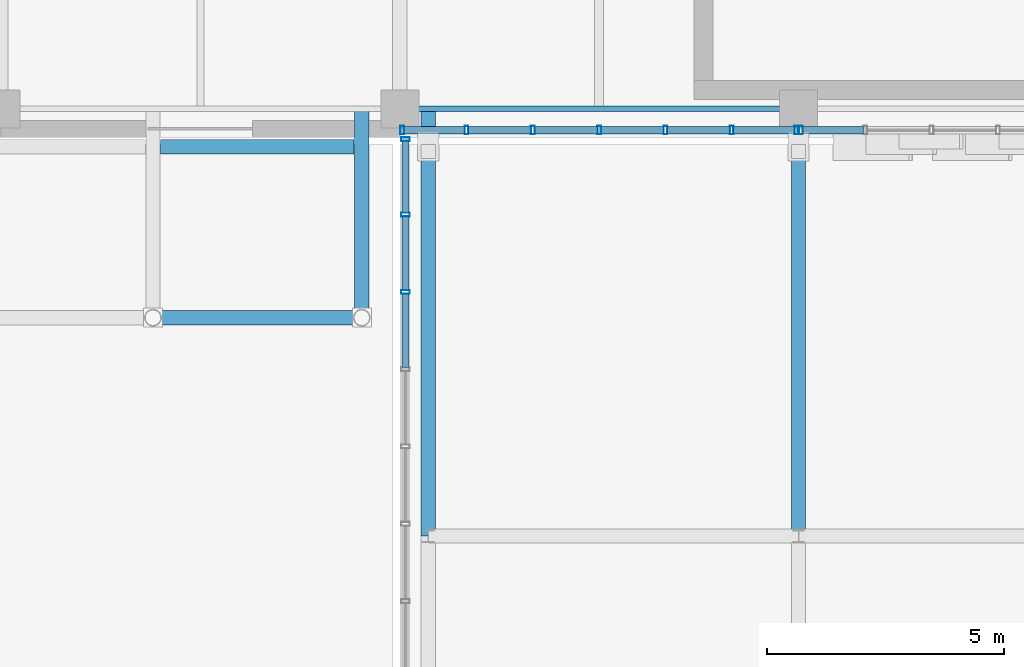
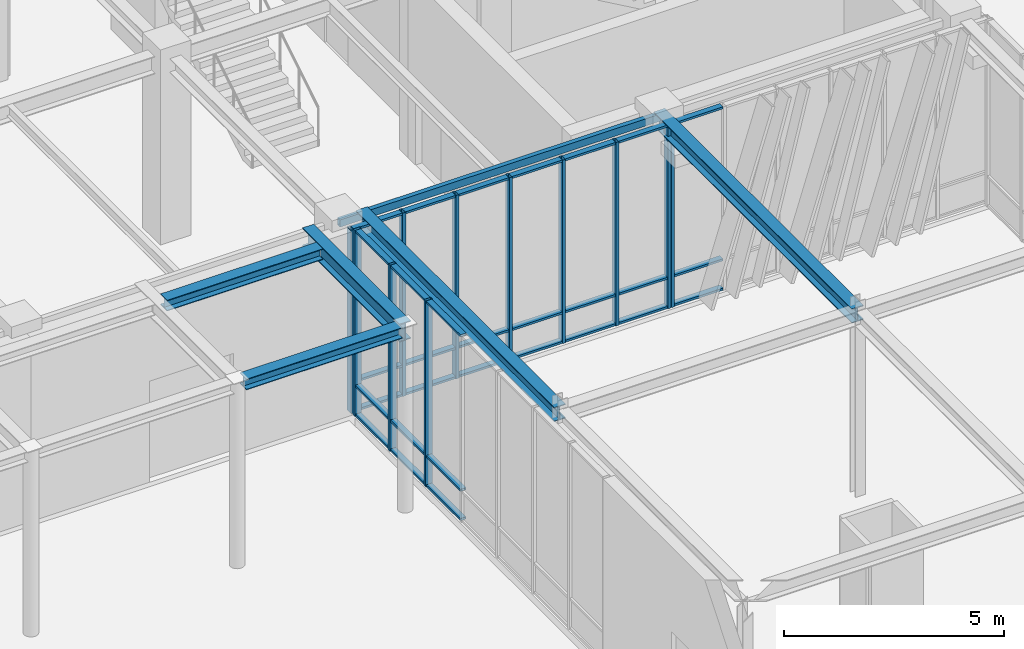
# One storey, part 23 of 122: 41 members, 6 beams, 3 elements without a shape of their own.
"""IFC4 building model written with IfcOpenShell, lengths in metres."""

from ifc_helpers import new_model, si_unit, direction, frame, origin, origin_2d, place, context, subcontext, project, spatial, hollow_rectangle, i_section, extrude, material, layer, layer_set, material_profile, profile_set, type_object, element, aggregate, save


model = new_model("IFC4")

# Units and contexts
model_context = context("Model", 3, precision=1e-05, world=origin(), true_north=direction((0.0, 1.0)))
body_context = subcontext(model_context, "Body", "Model", "MODEL_VIEW")
ifc_project = project(units=[si_unit("LENGTHUNIT", "METRE"), si_unit("AREAUNIT", "SQUARE_METRE"), si_unit("VOLUMEUNIT", "CUBIC_METRE"), si_unit("PLANEANGLEUNIT", "RADIAN"), si_unit("MASSUNIT", "GRAM", prefix="KILO")], contexts=[model_context])

# Site, building, storey
site_placement = place(None, origin())
site = spatial("IfcSite", under=ifc_project, at=site_placement, CompositionType="ELEMENT")
building_placement = place(site_placement, origin())
building = spatial("IfcBuilding", under=site, at=building_placement, Name="Zayran Congress Hotel", CompositionType="ELEMENT")
storey_placement = place(building_placement, origin())
storey = spatial("IfcBuildingStorey", under=building, at=storey_placement, Name="L00", CompositionType="ELEMENT", Elevation=0.0)

# Beams
ifc_material_1 = material(Name="Steel S355", Category="steel")
ifc_material_profile_1 = material_profile(ifc_material_1, i_section(OverallWidth=0.300048828125, OverallDepth=0.5, WebThickness=0.014404296875, FlangeThickness=0.028076171875, at=origin_2d()), Name="HEB 500")
ifc_profile_set_1 = profile_set([ifc_material_profile_1], Name="Steel S355")
beam_type_1 = type_object("IfcBeamType", Name="TP-BM-08", PredefinedType="BEAM", material=ifc_profile_set_1)
beam_1_placement = place(storey_placement, frame((74.800048828125, 63.800048828125, 4.909912109375), z_axis=(0.0, 1.0, 0.0), x_axis=(-1.0, 0.0, 0.0)))
element("IfcBeam", 1, at=beam_1_placement, inside=storey, type_object=beam_type_1, Name="BM-CAN-RIB-4", PredefinedType="BEAM", context=body_context, shape_type="SweptSolid", body=[
    extrude(i_section(OverallWidth=0.300048828125, OverallDepth=0.5, WebThickness=0.014404296875, FlangeThickness=0.028076171875, at=origin_2d()), origin(), (0.0, 0.0, 1.0), 4.39990234375),
])
ifc_material_profile_2 = material_profile(ifc_material_1, i_section(OverallWidth=0.300048828125, OverallDepth=0.39990234375, WebThickness=0.013427734375, FlangeThickness=0.02392578125, at=origin_2d()), Name="HEB 400")
ifc_profile_set_2 = profile_set([ifc_material_profile_2], Name="Steel S355")
beam_type_2 = type_object("IfcBeamType", Name="TP-BM-10", PredefinedType="BEAM", material=ifc_profile_set_2)
for number, where, z_axis, x_axis, name in (
    (2, (76.199951171875, 59.199951171875, 4.949951171875), (0.0, 1.0, 0.0), (-1.0, 0.0, 0.0), "BM-BR2Y-L00-2449"),
    (3, (84.0, 59.199951171875, 4.949951171875), (0.0, 1.0, 0.0), (-1.0, 0.0, 0.0), "BM-BR2Y-L00-2453"),
):
    element("IfcBeam", number, at=place(storey_placement, frame(where, z_axis=z_axis, x_axis=x_axis)), inside=storey, type_object=beam_type_2, Name=name, PredefinedType="BEAM", context=body_context, shape_type="SweptSolid", body=[
        extrude(i_section(OverallWidth=0.300048828125, OverallDepth=0.39990234375, WebThickness=0.013427734375, FlangeThickness=0.02392578125, at=origin_2d()), origin(), (0.0, 0.0, 1.0), 9.0),
    ])
ifc_material_profile_3 = material_profile(ifc_material_1, i_section(OverallWidth=0.300048828125, OverallDepth=0.300048828125, WebThickness=0.010986328125, FlangeThickness=0.01904296875, at=origin_2d()), Name="HEB 300")
ifc_profile_set_3 = profile_set([ifc_material_profile_3], Name="Steel S355")
beam_type_3 = type_object("IfcBeamType", Name="TP-BM-11", PredefinedType="BEAM", material=ifc_profile_set_3)
for number, where, z_axis, x_axis, name in (
    (4, (70.56005859375, 63.800048828125, 5.010009765625), (1.0, 0.0, 0.0), (0.0, 1.0, 0.0), "BM-CAN-TIE-2482"),
    (5, (70.56005859375, 67.39990234375, 5.010009765625), (1.0, 0.0, 0.0), (0.0, 1.0, 0.0), "BM-CAN-TIE-2485"),
):
    element("IfcBeam", number, at=place(storey_placement, frame(where, z_axis=z_axis, x_axis=x_axis)), inside=storey, type_object=beam_type_3, Name=name, PredefinedType="BEAM", context=body_context, shape_type="SweptSolid", body=[
        extrude(i_section(OverallWidth=0.300048828125, OverallDepth=0.300048828125, WebThickness=0.010986328125, FlangeThickness=0.01904296875, at=origin_2d()), origin(), (0.0, 0.0, 1.0), 4.079833984375),
    ])
ifc_material_profile_4 = material_profile(ifc_material_1, hollow_rectangle(XDim=0.1201171875, YDim=0.199951171875, WallThickness=0.008056640625, at=origin_2d()), Name="RHS 200x120x8")
ifc_profile_set_4 = profile_set([ifc_material_profile_4], Name="Steel S355")
beam_type_4 = type_object("IfcBeamType", Name="TP-SP-02", PredefinedType="SPANDREL", material=ifc_profile_set_4)
beam_2_placement = place(storey_placement, frame((75.60009765625, 68.199951171875, 4.97998046875), z_axis=(1.0, 0.0, 0.0), x_axis=(0.0, 1.0, 0.0)))
element("IfcBeam", 6, at=beam_2_placement, inside=storey, type_object=beam_type_4, Name="BM-V1-L00-0397", PredefinedType="SPANDREL", context=body_context, shape_type="SweptSolid", body=[
    extrude(hollow_rectangle(XDim=0.1201171875, YDim=0.199951171875, WallThickness=0.008056640625, at=origin_2d()), origin(), (0.0, 0.0, 1.0), 8.39990234375),
])

# Curtain wall, members
ifc_material_2 = material(Name="Anodised aluminium and low-E insulated glass", Category="aluminium")
ifc_layer_1 = layer(ifc_material_2, 0.179931640625)
ifc_layer_set_1 = layer_set([ifc_layer_1], Name="Anodised aluminium and low-E insulated glass")
curtain_wall_type_1 = type_object("IfcCurtainWallType", Name="CW-V1S-L00-CW-13-8380-5080", PredefinedType="USERDEFINED", material=ifc_layer_set_1)
curtain_wall_1_placement = place(storey_placement, origin())
curtain_wall_1 = element("IfcCurtainWall", 7, at=curtain_wall_1_placement, inside=storey, type_object=curtain_wall_type_1, Name="CW-V1S-L00-8", ObjectType="CURTAIN WALL", PredefinedType="USERDEFINED")
ifc_material_3 = material(Name="Anodised aluminium framing", Category="aluminium")
ifc_material_profile_5 = material_profile(ifc_material_3, hollow_rectangle(XDim=0.080078125, YDim=0.179931640625, WallThickness=0.0048828125, at=origin_2d()), Name="RHS 180x80x5")
ifc_profile_set_5 = profile_set([ifc_material_profile_5], Name="Anodised aluminium framing")
member_type_1 = type_object("IfcMemberType", Name="TP-CWM-01", PredefinedType="MULLION", material=ifc_profile_set_5)
member_1_placement = place(storey_placement, frame((75.64990234375, 67.75, 0.0), z_axis=(0.0, 0.0, 1.0), x_axis=(1.0, 0.0, 0.0)))
member_1 = element("IfcMember", 8, at=member_1_placement, type_object=member_type_1, Name="CW-V1S-L00-8-M00", PredefinedType="MULLION", context=body_context, shape_type="SweptSolid", body=[
    extrude(hollow_rectangle(XDim=0.080078125, YDim=0.179931640625, WallThickness=0.0048828125, at=origin_2d()), origin(), (0.0, 0.0, 1.0), 5.080078125),
])
member_2_placement = place(storey_placement, frame((77.006591796875, 67.75, 0.0), z_axis=(0.0, 0.0, 1.0), x_axis=(1.0, 0.0, 0.0)))
member_2 = element("IfcMember", 9, at=member_2_placement, type_object=member_type_1, Name="CW-V1S-L00-8-M01", PredefinedType="MULLION", context=body_context, shape_type="SweptSolid", body=[
    extrude(hollow_rectangle(XDim=0.080078125, YDim=0.179931640625, WallThickness=0.0048828125, at=origin_2d()), origin(), (0.0, 0.0, 1.0), 5.080078125),
])
member_3_placement = place(storey_placement, frame((78.4033203125, 67.75, 0.0), z_axis=(0.0, 0.0, 1.0), x_axis=(1.0, 0.0, 0.0)))
member_3 = element("IfcMember", 10, at=member_3_placement, type_object=member_type_1, Name="CW-V1S-L00-8-M02", PredefinedType="MULLION", context=body_context, shape_type="SweptSolid", body=[
    extrude(hollow_rectangle(XDim=0.080078125, YDim=0.179931640625, WallThickness=0.0048828125, at=origin_2d()), origin(), (0.0, 0.0, 1.0), 5.080078125),
])
member_4_placement = place(storey_placement, frame((79.800048828125, 67.75, 0.0), z_axis=(0.0, 0.0, 1.0), x_axis=(1.0, 0.0, 0.0)))
member_4 = element("IfcMember", 11, at=member_4_placement, type_object=member_type_1, Name="CW-V1S-L00-8-M03", PredefinedType="MULLION", context=body_context, shape_type="SweptSolid", body=[
    extrude(hollow_rectangle(XDim=0.080078125, YDim=0.179931640625, WallThickness=0.0048828125, at=origin_2d()), origin(), (0.0, 0.0, 1.0), 5.080078125),
])
member_5_placement = place(storey_placement, frame((81.19677734375, 67.75, 0.0), z_axis=(0.0, 0.0, 1.0), x_axis=(1.0, 0.0, 0.0)))
member_5 = element("IfcMember", 12, at=member_5_placement, type_object=member_type_1, Name="CW-V1S-L00-8-M04", PredefinedType="MULLION", context=body_context, shape_type="SweptSolid", body=[
    extrude(hollow_rectangle(XDim=0.080078125, YDim=0.179931640625, WallThickness=0.0048828125, at=origin_2d()), origin(), (0.0, 0.0, 1.0), 5.080078125),
])
member_6_placement = place(storey_placement, frame((82.59326171875, 67.75, 0.0), z_axis=(0.0, 0.0, 1.0), x_axis=(1.0, 0.0, 0.0)))
member_6 = element("IfcMember", 13, at=member_6_placement, type_object=member_type_1, Name="CW-V1S-L00-8-M05", PredefinedType="MULLION", context=body_context, shape_type="SweptSolid", body=[
    extrude(hollow_rectangle(XDim=0.080078125, YDim=0.179931640625, WallThickness=0.0048828125, at=origin_2d()), origin(), (0.0, 0.0, 1.0), 5.080078125),
])
member_7_placement = place(storey_placement, frame((83.949951171875, 67.75, 0.0), z_axis=(0.0, 0.0, 1.0), x_axis=(1.0, 0.0, 0.0)))
member_7 = element("IfcMember", 14, at=member_7_placement, type_object=member_type_1, Name="CW-V1S-L00-8-M06", PredefinedType="MULLION", context=body_context, shape_type="SweptSolid", body=[
    extrude(hollow_rectangle(XDim=0.080078125, YDim=0.179931640625, WallThickness=0.0048828125, at=origin_2d()), origin(), (0.0, 0.0, 1.0), 5.080078125),
])

# Curtain wall, member
ifc_layer_2 = layer(ifc_material_2, 0.179931640625)
ifc_layer_set_2 = layer_set([ifc_layer_2], Name="Anodised aluminium and low-E insulated glass")
curtain_wall_type_2 = type_object("IfcCurtainWallType", Name="CW-V1S-L00-CW-11-8380-5080", PredefinedType="USERDEFINED", material=ifc_layer_set_2)
curtain_wall_2_placement = place(storey_placement, origin())
curtain_wall_2 = element("IfcCurtainWall", 15, at=curtain_wall_2_placement, inside=storey, type_object=curtain_wall_type_2, Name="CW-V1S-L00-9", ObjectType="CURTAIN WALL", PredefinedType="USERDEFINED")
member_8_placement = place(storey_placement, frame((84.050048828125, 67.75, 0.0), z_axis=(0.0, 0.0, 1.0), x_axis=(1.0, 0.0, 0.0)))
member_8 = element("IfcMember", 16, at=member_8_placement, type_object=member_type_1, Name="CW-V1S-L00-9-M00", PredefinedType="MULLION", context=body_context, shape_type="SweptSolid", body=[
    extrude(hollow_rectangle(XDim=0.080078125, YDim=0.179931640625, WallThickness=0.0048828125, at=origin_2d()), origin(), (0.0, 0.0, 1.0), 5.080078125),
])

# Curtain wall, members
ifc_layer_3 = layer(ifc_material_2, 0.179931640625)
ifc_layer_set_3 = layer_set([ifc_layer_3], Name="Anodised aluminium and low-E insulated glass")
curtain_wall_type_3 = type_object("IfcCurtainWallType", Name="CW-BR2-L00-CW-BR2-11400-5150", PredefinedType="USERDEFINED", material=ifc_layer_set_3)
curtain_wall_3_placement = place(storey_placement, origin())
curtain_wall_3 = element("IfcCurtainWall", 17, at=curtain_wall_3_placement, inside=storey, type_object=curtain_wall_type_3, Name="CW-BR2W-L00-2", ObjectType="CURTAIN WALL", PredefinedType="USERDEFINED")
member_9_placement = place(storey_placement, frame((75.719970703125, 67.56005859375, 0.0), z_axis=(0.0, 0.0, 1.0), x_axis=(0.0, 1.0, 0.0)))
member_9 = element("IfcMember", 18, at=member_9_placement, type_object=member_type_1, Name="CW-BR2W-L00-2-M00", PredefinedType="MULLION", context=body_context, shape_type="SweptSolid", body=[
    extrude(hollow_rectangle(XDim=0.080078125, YDim=0.179931640625, WallThickness=0.0048828125, at=origin_2d()), origin(), (0.0, 0.0, 1.0), 5.14990234375),
])
member_10_placement = place(storey_placement, frame((75.719970703125, 65.971435546875, 0.0), z_axis=(0.0, 0.0, 1.0), x_axis=(0.0, 1.0, 0.0)))
member_10 = element("IfcMember", 19, at=member_10_placement, type_object=member_type_1, Name="CW-BR2W-L00-2-M01", PredefinedType="MULLION", context=body_context, shape_type="SweptSolid", body=[
    extrude(hollow_rectangle(XDim=0.080078125, YDim=0.179931640625, WallThickness=0.0048828125, at=origin_2d()), origin(), (0.0, 0.0, 1.0), 5.14990234375),
])
member_11_placement = place(storey_placement, frame((75.719970703125, 64.343017578125, 0.0), z_axis=(0.0, 0.0, 1.0), x_axis=(0.0, 1.0, 0.0)))
member_11 = element("IfcMember", 20, at=member_11_placement, type_object=member_type_1, Name="CW-BR2W-L00-2-M02", PredefinedType="MULLION", context=body_context, shape_type="SweptSolid", body=[
    extrude(hollow_rectangle(XDim=0.080078125, YDim=0.179931640625, WallThickness=0.0048828125, at=origin_2d()), origin(), (0.0, 0.0, 1.0), 5.14990234375),
])

# Member
ifc_material_profile_6 = material_profile(ifc_material_3, hollow_rectangle(XDim=0.06005859375, YDim=0.14990234375, WallThickness=0.00390625, at=origin_2d()), Name="RHS 150x60x4")
ifc_profile_set_6 = profile_set([ifc_material_profile_6], Name="Anodised aluminium framing")
member_type_2 = type_object("IfcMemberType", Name="TP-CWT-01", PredefinedType="USERDEFINED", material=ifc_profile_set_6)
member_12_placement = place(storey_placement, frame((75.68994140625, 67.75, 0.030029296875), z_axis=(1.0, 0.0, 0.0), x_axis=(0.0, 0.0, 1.0)))
member_12 = element("IfcMember", 21, at=member_12_placement, type_object=member_type_2, Name="CW-V1S-L00-8-T00-0", ObjectType="TRANSOM", PredefinedType="USERDEFINED", context=body_context, shape_type="SweptSolid", body=[
    extrude(hollow_rectangle(XDim=0.06005859375, YDim=0.14990234375, WallThickness=0.00390625, at=origin_2d()), origin(), (0.0, 0.0, 1.0), 1.27685546875),
])

member_13_placement = place(storey_placement, frame((75.68994140625, 67.75, 0.840087890625), z_axis=(1.0, 0.0, 0.0), x_axis=(0.0, 0.0, 1.0)))
member_13 = element("IfcMember", 22, at=member_13_placement, type_object=member_type_2, Name="CW-V1S-L00-8-T00-1", ObjectType="TRANSOM", PredefinedType="USERDEFINED", context=body_context, shape_type="SweptSolid", body=[
    extrude(hollow_rectangle(XDim=0.06005859375, YDim=0.14990234375, WallThickness=0.00390625, at=origin_2d()), origin(), (0.0, 0.0, 1.0), 1.27685546875),
])

member_14_placement = place(storey_placement, frame((75.68994140625, 67.75, 5.050048828125), z_axis=(1.0, 0.0, 0.0), x_axis=(0.0, 0.0, 1.0)))
member_14 = element("IfcMember", 23, at=member_14_placement, type_object=member_type_2, Name="CW-V1S-L00-8-T00-2", ObjectType="TRANSOM", PredefinedType="USERDEFINED", context=body_context, shape_type="SweptSolid", body=[
    extrude(hollow_rectangle(XDim=0.06005859375, YDim=0.14990234375, WallThickness=0.00390625, at=origin_2d()), origin(), (0.0, 0.0, 1.0), 1.27685546875),
])

member_15_placement = place(storey_placement, frame((77.046630859375, 67.75, 0.030029296875), z_axis=(1.0, 0.0, 0.0), x_axis=(0.0, 0.0, 1.0)))
member_15 = element("IfcMember", 24, at=member_15_placement, type_object=member_type_2, Name="CW-V1S-L00-8-T01-0", ObjectType="TRANSOM", PredefinedType="USERDEFINED", context=body_context, shape_type="SweptSolid", body=[
    extrude(hollow_rectangle(XDim=0.06005859375, YDim=0.14990234375, WallThickness=0.00390625, at=origin_2d()), origin(), (0.0, 0.0, 1.0), 1.316650390625),
])

member_16_placement = place(storey_placement, frame((77.046630859375, 67.75, 0.840087890625), z_axis=(1.0, 0.0, 0.0), x_axis=(0.0, 0.0, 1.0)))
member_16 = element("IfcMember", 25, at=member_16_placement, type_object=member_type_2, Name="CW-V1S-L00-8-T01-1", ObjectType="TRANSOM", PredefinedType="USERDEFINED", context=body_context, shape_type="SweptSolid", body=[
    extrude(hollow_rectangle(XDim=0.06005859375, YDim=0.14990234375, WallThickness=0.00390625, at=origin_2d()), origin(), (0.0, 0.0, 1.0), 1.316650390625),
])

member_17_placement = place(storey_placement, frame((77.046630859375, 67.75, 5.050048828125), z_axis=(1.0, 0.0, 0.0), x_axis=(0.0, 0.0, 1.0)))
member_17 = element("IfcMember", 26, at=member_17_placement, type_object=member_type_2, Name="CW-V1S-L00-8-T01-2", ObjectType="TRANSOM", PredefinedType="USERDEFINED", context=body_context, shape_type="SweptSolid", body=[
    extrude(hollow_rectangle(XDim=0.06005859375, YDim=0.14990234375, WallThickness=0.00390625, at=origin_2d()), origin(), (0.0, 0.0, 1.0), 1.316650390625),
])

member_18_placement = place(storey_placement, frame((78.443359375, 67.75, 0.030029296875), z_axis=(1.0, 0.0, 0.0), x_axis=(0.0, 0.0, 1.0)))
member_18 = element("IfcMember", 27, at=member_18_placement, type_object=member_type_2, Name="CW-V1S-L00-8-T02-0", ObjectType="TRANSOM", PredefinedType="USERDEFINED", context=body_context, shape_type="SweptSolid", body=[
    extrude(hollow_rectangle(XDim=0.06005859375, YDim=0.14990234375, WallThickness=0.00390625, at=origin_2d()), origin(), (0.0, 0.0, 1.0), 1.316650390625),
])

member_19_placement = place(storey_placement, frame((78.443359375, 67.75, 0.840087890625), z_axis=(1.0, 0.0, 0.0), x_axis=(0.0, 0.0, 1.0)))
member_19 = element("IfcMember", 28, at=member_19_placement, type_object=member_type_2, Name="CW-V1S-L00-8-T02-1", ObjectType="TRANSOM", PredefinedType="USERDEFINED", context=body_context, shape_type="SweptSolid", body=[
    extrude(hollow_rectangle(XDim=0.06005859375, YDim=0.14990234375, WallThickness=0.00390625, at=origin_2d()), origin(), (0.0, 0.0, 1.0), 1.316650390625),
])

member_20_placement = place(storey_placement, frame((78.443359375, 67.75, 5.050048828125), z_axis=(1.0, 0.0, 0.0), x_axis=(0.0, 0.0, 1.0)))
member_20 = element("IfcMember", 29, at=member_20_placement, type_object=member_type_2, Name="CW-V1S-L00-8-T02-2", ObjectType="TRANSOM", PredefinedType="USERDEFINED", context=body_context, shape_type="SweptSolid", body=[
    extrude(hollow_rectangle(XDim=0.06005859375, YDim=0.14990234375, WallThickness=0.00390625, at=origin_2d()), origin(), (0.0, 0.0, 1.0), 1.316650390625),
])

member_21_placement = place(storey_placement, frame((79.840087890625, 67.75, 0.030029296875), z_axis=(1.0, 0.0, 0.0), x_axis=(0.0, 0.0, 1.0)))
member_21 = element("IfcMember", 30, at=member_21_placement, type_object=member_type_2, Name="CW-V1S-L00-8-T03-0", ObjectType="TRANSOM", PredefinedType="USERDEFINED", context=body_context, shape_type="SweptSolid", body=[
    extrude(hollow_rectangle(XDim=0.06005859375, YDim=0.14990234375, WallThickness=0.00390625, at=origin_2d()), origin(), (0.0, 0.0, 1.0), 1.316650390625),
])

member_22_placement = place(storey_placement, frame((79.840087890625, 67.75, 0.840087890625), z_axis=(1.0, 0.0, 0.0), x_axis=(0.0, 0.0, 1.0)))
member_22 = element("IfcMember", 31, at=member_22_placement, type_object=member_type_2, Name="CW-V1S-L00-8-T03-1", ObjectType="TRANSOM", PredefinedType="USERDEFINED", context=body_context, shape_type="SweptSolid", body=[
    extrude(hollow_rectangle(XDim=0.06005859375, YDim=0.14990234375, WallThickness=0.00390625, at=origin_2d()), origin(), (0.0, 0.0, 1.0), 1.316650390625),
])

member_23_placement = place(storey_placement, frame((79.840087890625, 67.75, 5.050048828125), z_axis=(1.0, 0.0, 0.0), x_axis=(0.0, 0.0, 1.0)))
member_23 = element("IfcMember", 32, at=member_23_placement, type_object=member_type_2, Name="CW-V1S-L00-8-T03-2", ObjectType="TRANSOM", PredefinedType="USERDEFINED", context=body_context, shape_type="SweptSolid", body=[
    extrude(hollow_rectangle(XDim=0.06005859375, YDim=0.14990234375, WallThickness=0.00390625, at=origin_2d()), origin(), (0.0, 0.0, 1.0), 1.316650390625),
])

member_24_placement = place(storey_placement, frame((81.23681640625, 67.75, 0.030029296875), z_axis=(1.0, 0.0, 0.0), x_axis=(0.0, 0.0, 1.0)))
member_24 = element("IfcMember", 33, at=member_24_placement, type_object=member_type_2, Name="CW-V1S-L00-8-T04-0", ObjectType="TRANSOM", PredefinedType="USERDEFINED", context=body_context, shape_type="SweptSolid", body=[
    extrude(hollow_rectangle(XDim=0.06005859375, YDim=0.14990234375, WallThickness=0.00390625, at=origin_2d()), origin(), (0.0, 0.0, 1.0), 1.31640625),
])

member_25_placement = place(storey_placement, frame((81.23681640625, 67.75, 0.840087890625), z_axis=(1.0, 0.0, 0.0), x_axis=(0.0, 0.0, 1.0)))
member_25 = element("IfcMember", 34, at=member_25_placement, type_object=member_type_2, Name="CW-V1S-L00-8-T04-1", ObjectType="TRANSOM", PredefinedType="USERDEFINED", context=body_context, shape_type="SweptSolid", body=[
    extrude(hollow_rectangle(XDim=0.06005859375, YDim=0.14990234375, WallThickness=0.00390625, at=origin_2d()), origin(), (0.0, 0.0, 1.0), 1.31640625),
])

member_26_placement = place(storey_placement, frame((81.23681640625, 67.75, 5.050048828125), z_axis=(1.0, 0.0, 0.0), x_axis=(0.0, 0.0, 1.0)))
member_26 = element("IfcMember", 35, at=member_26_placement, type_object=member_type_2, Name="CW-V1S-L00-8-T04-2", ObjectType="TRANSOM", PredefinedType="USERDEFINED", context=body_context, shape_type="SweptSolid", body=[
    extrude(hollow_rectangle(XDim=0.06005859375, YDim=0.14990234375, WallThickness=0.00390625, at=origin_2d()), origin(), (0.0, 0.0, 1.0), 1.31640625),
])

member_27_placement = place(storey_placement, frame((82.63330078125, 67.75, 0.030029296875), z_axis=(1.0, 0.0, 0.0), x_axis=(0.0, 0.0, 1.0)))
member_27 = element("IfcMember", 36, at=member_27_placement, type_object=member_type_2, Name="CW-V1S-L00-8-T05-0", ObjectType="TRANSOM", PredefinedType="USERDEFINED", context=body_context, shape_type="SweptSolid", body=[
    extrude(hollow_rectangle(XDim=0.06005859375, YDim=0.14990234375, WallThickness=0.00390625, at=origin_2d()), origin(), (0.0, 0.0, 1.0), 1.276611328125),
])

member_28_placement = place(storey_placement, frame((82.63330078125, 67.75, 0.840087890625), z_axis=(1.0, 0.0, 0.0), x_axis=(0.0, 0.0, 1.0)))
member_28 = element("IfcMember", 37, at=member_28_placement, type_object=member_type_2, Name="CW-V1S-L00-8-T05-1", ObjectType="TRANSOM", PredefinedType="USERDEFINED", context=body_context, shape_type="SweptSolid", body=[
    extrude(hollow_rectangle(XDim=0.06005859375, YDim=0.14990234375, WallThickness=0.00390625, at=origin_2d()), origin(), (0.0, 0.0, 1.0), 1.276611328125),
])

member_29_placement = place(storey_placement, frame((82.63330078125, 67.75, 5.050048828125), z_axis=(1.0, 0.0, 0.0), x_axis=(0.0, 0.0, 1.0)))
member_29 = element("IfcMember", 38, at=member_29_placement, type_object=member_type_2, Name="CW-V1S-L00-8-T05-2", ObjectType="TRANSOM", PredefinedType="USERDEFINED", context=body_context, shape_type="SweptSolid", body=[
    extrude(hollow_rectangle(XDim=0.06005859375, YDim=0.14990234375, WallThickness=0.00390625, at=origin_2d()), origin(), (0.0, 0.0, 1.0), 1.276611328125),
])

aggregate(curtain_wall_1, [member_1, member_2, member_3, member_4, member_5, member_6, member_7, member_12, member_13, member_14, member_15, member_16, member_17, member_18, member_19, member_20, member_21, member_22, member_23, member_24, member_25, member_26, member_27, member_28, member_29])

member_30_placement = place(storey_placement, frame((84.090087890625, 67.75, 0.030029296875), z_axis=(1.0, 0.0, 0.0), x_axis=(0.0, 0.0, 1.0)))
member_30 = element("IfcMember", 39, at=member_30_placement, type_object=member_type_2, Name="CW-V1S-L00-9-T00-0", ObjectType="TRANSOM", PredefinedType="USERDEFINED", context=body_context, shape_type="SweptSolid", body=[
    extrude(hollow_rectangle(XDim=0.06005859375, YDim=0.14990234375, WallThickness=0.00390625, at=origin_2d()), origin(), (0.0, 0.0, 1.0), 1.276611328125),
])

member_31_placement = place(storey_placement, frame((84.090087890625, 67.75, 0.840087890625), z_axis=(1.0, 0.0, 0.0), x_axis=(0.0, 0.0, 1.0)))
member_31 = element("IfcMember", 40, at=member_31_placement, type_object=member_type_2, Name="CW-V1S-L00-9-T00-1", ObjectType="TRANSOM", PredefinedType="USERDEFINED", context=body_context, shape_type="SweptSolid", body=[
    extrude(hollow_rectangle(XDim=0.06005859375, YDim=0.14990234375, WallThickness=0.00390625, at=origin_2d()), origin(), (0.0, 0.0, 1.0), 1.276611328125),
])

member_32_placement = place(storey_placement, frame((84.090087890625, 67.75, 5.050048828125), z_axis=(1.0, 0.0, 0.0), x_axis=(0.0, 0.0, 1.0)))
member_32 = element("IfcMember", 41, at=member_32_placement, type_object=member_type_2, Name="CW-V1S-L00-9-T00-2", ObjectType="TRANSOM", PredefinedType="USERDEFINED", context=body_context, shape_type="SweptSolid", body=[
    extrude(hollow_rectangle(XDim=0.06005859375, YDim=0.14990234375, WallThickness=0.00390625, at=origin_2d()), origin(), (0.0, 0.0, 1.0), 1.276611328125),
])

aggregate(curtain_wall_2, [member_8, member_30, member_31, member_32])

member_33_placement = place(storey_placement, frame((75.719970703125, 67.52001953125, 0.030029296875), z_axis=(0.0, -1.0, 0.0), x_axis=(0.0, 0.0, 1.0)))
member_33 = element("IfcMember", 42, at=member_33_placement, type_object=member_type_2, Name="CW-BR2W-L00-2-T00-0", ObjectType="TRANSOM", PredefinedType="USERDEFINED", context=body_context, shape_type="SweptSolid", body=[
    extrude(hollow_rectangle(XDim=0.06005859375, YDim=0.14990234375, WallThickness=0.00390625, at=origin_2d()), origin(), (0.0, 0.0, 1.0), 1.508544921875),
])

member_34_placement = place(storey_placement, frame((75.719970703125, 67.52001953125, 0.840087890625), z_axis=(0.0, -1.0, 0.0), x_axis=(0.0, 0.0, 1.0)))
member_34 = element("IfcMember", 43, at=member_34_placement, type_object=member_type_2, Name="CW-BR2W-L00-2-T00-1", ObjectType="TRANSOM", PredefinedType="USERDEFINED", context=body_context, shape_type="SweptSolid", body=[
    extrude(hollow_rectangle(XDim=0.06005859375, YDim=0.14990234375, WallThickness=0.00390625, at=origin_2d()), origin(), (0.0, 0.0, 1.0), 1.508544921875),
])

member_35_placement = place(storey_placement, frame((75.719970703125, 67.52001953125, 5.1201171875), z_axis=(0.0, -1.0, 0.0), x_axis=(0.0, 0.0, 1.0)))
member_35 = element("IfcMember", 44, at=member_35_placement, type_object=member_type_2, Name="CW-BR2W-L00-2-T00-2", ObjectType="TRANSOM", PredefinedType="USERDEFINED", context=body_context, shape_type="SweptSolid", body=[
    extrude(hollow_rectangle(XDim=0.06005859375, YDim=0.14990234375, WallThickness=0.00390625, at=origin_2d()), origin(), (0.0, 0.0, 1.0), 1.508544921875),
])

member_36_placement = place(storey_placement, frame((75.719970703125, 65.931396484375, 0.030029296875), z_axis=(0.0, -1.0, 0.0), x_axis=(0.0, 0.0, 1.0)))
member_36 = element("IfcMember", 45, at=member_36_placement, type_object=member_type_2, Name="CW-BR2W-L00-2-T01-0", ObjectType="TRANSOM", PredefinedType="USERDEFINED", context=body_context, shape_type="SweptSolid", body=[
    extrude(hollow_rectangle(XDim=0.06005859375, YDim=0.14990234375, WallThickness=0.00390625, at=origin_2d()), origin(), (0.0, 0.0, 1.0), 1.548583984375),
])

member_37_placement = place(storey_placement, frame((75.719970703125, 65.931396484375, 0.840087890625), z_axis=(0.0, -1.0, 0.0), x_axis=(0.0, 0.0, 1.0)))
member_37 = element("IfcMember", 46, at=member_37_placement, type_object=member_type_2, Name="CW-BR2W-L00-2-T01-1", ObjectType="TRANSOM", PredefinedType="USERDEFINED", context=body_context, shape_type="SweptSolid", body=[
    extrude(hollow_rectangle(XDim=0.06005859375, YDim=0.14990234375, WallThickness=0.00390625, at=origin_2d()), origin(), (0.0, 0.0, 1.0), 1.548583984375),
])

member_38_placement = place(storey_placement, frame((75.719970703125, 65.931396484375, 5.1201171875), z_axis=(0.0, -1.0, 0.0), x_axis=(0.0, 0.0, 1.0)))
member_38 = element("IfcMember", 47, at=member_38_placement, type_object=member_type_2, Name="CW-BR2W-L00-2-T01-2", ObjectType="TRANSOM", PredefinedType="USERDEFINED", context=body_context, shape_type="SweptSolid", body=[
    extrude(hollow_rectangle(XDim=0.06005859375, YDim=0.14990234375, WallThickness=0.00390625, at=origin_2d()), origin(), (0.0, 0.0, 1.0), 1.548583984375),
])

member_39_placement = place(storey_placement, frame((75.719970703125, 64.302978515625, 0.030029296875), z_axis=(0.0, -1.0, 0.0), x_axis=(0.0, 0.0, 1.0)))
member_39 = element("IfcMember", 48, at=member_39_placement, type_object=member_type_2, Name="CW-BR2W-L00-2-T02-0", ObjectType="TRANSOM", PredefinedType="USERDEFINED", context=body_context, shape_type="SweptSolid", body=[
    extrude(hollow_rectangle(XDim=0.06005859375, YDim=0.14990234375, WallThickness=0.00390625, at=origin_2d()), origin(), (0.0, 0.0, 1.0), 1.548583984375),
])

member_40_placement = place(storey_placement, frame((75.719970703125, 64.302978515625, 0.840087890625), z_axis=(0.0, -1.0, 0.0), x_axis=(0.0, 0.0, 1.0)))
member_40 = element("IfcMember", 49, at=member_40_placement, type_object=member_type_2, Name="CW-BR2W-L00-2-T02-1", ObjectType="TRANSOM", PredefinedType="USERDEFINED", context=body_context, shape_type="SweptSolid", body=[
    extrude(hollow_rectangle(XDim=0.06005859375, YDim=0.14990234375, WallThickness=0.00390625, at=origin_2d()), origin(), (0.0, 0.0, 1.0), 1.548583984375),
])

member_41_placement = place(storey_placement, frame((75.719970703125, 64.302978515625, 5.1201171875), z_axis=(0.0, -1.0, 0.0), x_axis=(0.0, 0.0, 1.0)))
member_41 = element("IfcMember", 50, at=member_41_placement, type_object=member_type_2, Name="CW-BR2W-L00-2-T02-2", ObjectType="TRANSOM", PredefinedType="USERDEFINED", context=body_context, shape_type="SweptSolid", body=[
    extrude(hollow_rectangle(XDim=0.06005859375, YDim=0.14990234375, WallThickness=0.00390625, at=origin_2d()), origin(), (0.0, 0.0, 1.0), 1.548583984375),
])

aggregate(curtain_wall_3, [member_9, member_10, member_11, member_33, member_34, member_35, member_36, member_37, member_38, member_39, member_40, member_41])

save(model, "model.ifc")
